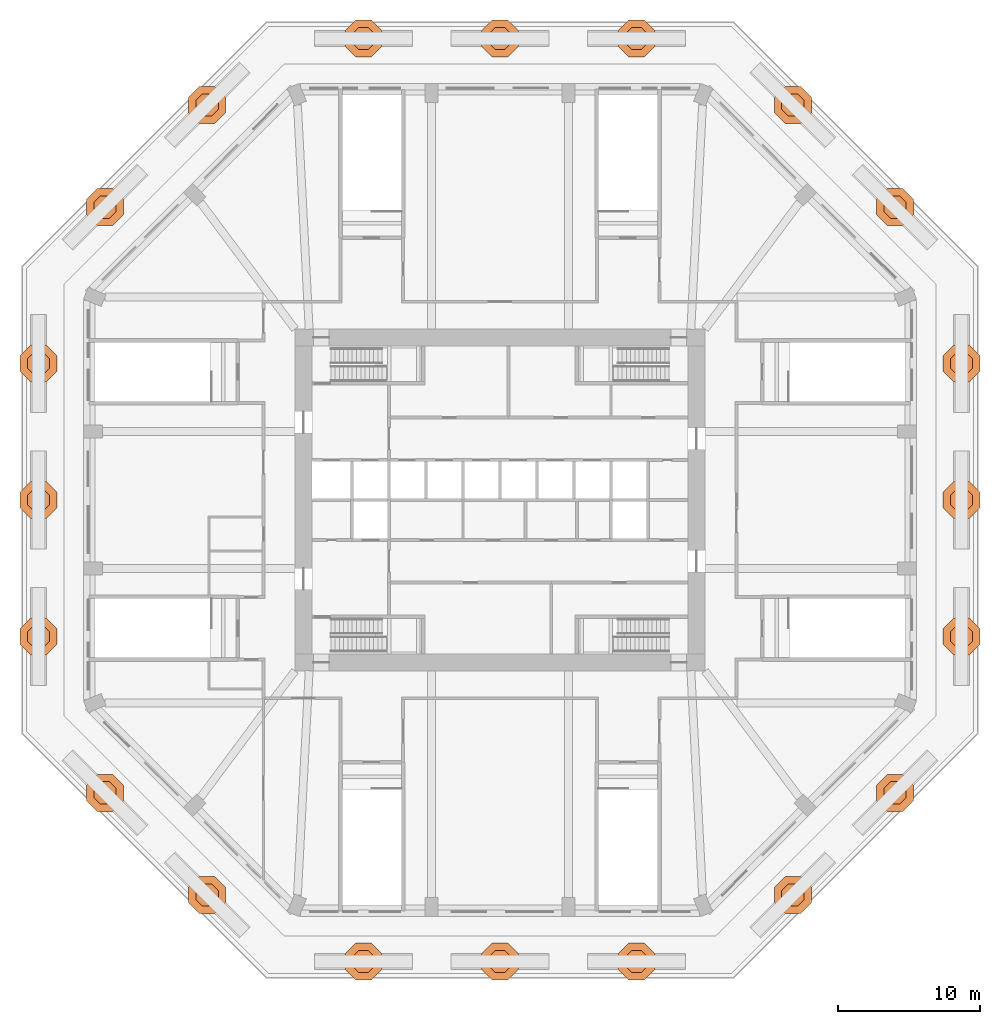
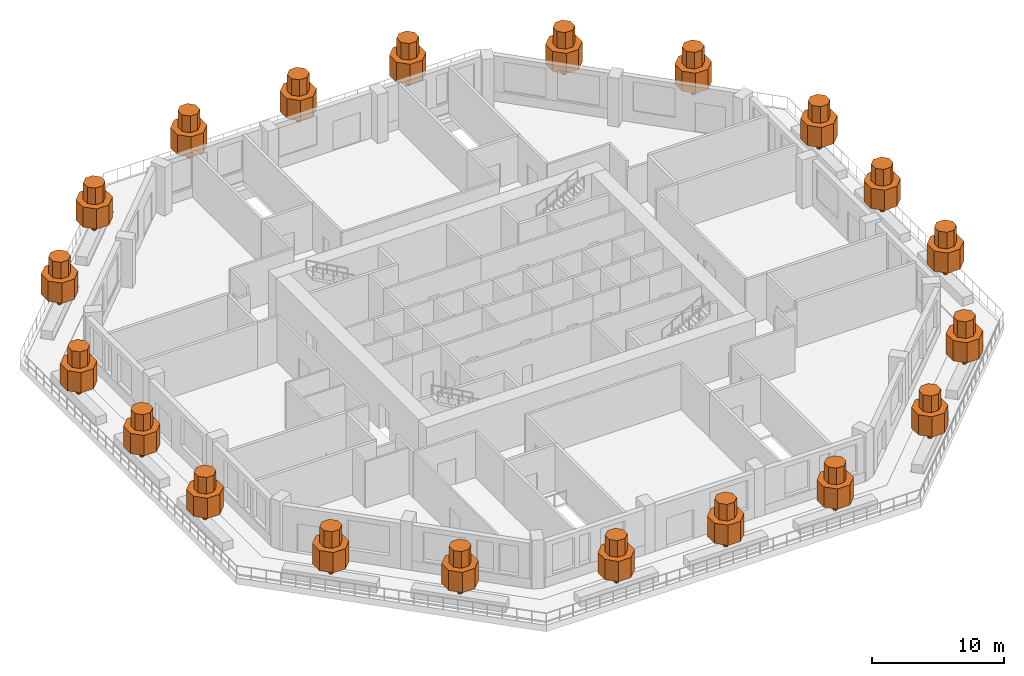
# One storey, part 13 of 13: 20 geographic elements.
"""IFC4 building model written with IfcOpenShell, lengths in metres."""

from ifc_helpers import new_model, si_unit, direction, frame, origin, place, context, subcontext, project, spatial, polyline, outline, extrude, material, type_object, element, save


model = new_model("IFC4")

# Units and contexts
model_context = context("Model", 3, precision=1e-05, world=origin(), true_north=direction((0.0, 1.0)))
body_context = subcontext(model_context, "Body", "Model", "MODEL_VIEW")
ifc_project = project(units=[si_unit("LENGTHUNIT", "METRE"), si_unit("AREAUNIT", "SQUARE_METRE"), si_unit("VOLUMEUNIT", "CUBIC_METRE"), si_unit("PLANEANGLEUNIT", "RADIAN"), si_unit("MASSUNIT", "GRAM", prefix="KILO")], contexts=[model_context])

# Site, building, storey
site_placement = place(None, origin())
site = spatial("IfcSite", under=ifc_project, at=site_placement, CompositionType="ELEMENT")
building_placement = place(site_placement, origin())
building = spatial("IfcBuilding", under=site, at=building_placement, Name="Msitu Wima Residences", CompositionType="ELEMENT")
storey_placement = place(building_placement, frame((0.0, 0.0, 21.0)))
storey = spatial("IfcBuildingStorey", under=building, at=storey_placement, Name="L04", CompositionType="ELEMENT", Elevation=21.0)

# Geographic elements
ifc_material = material(Name="Foliage and planting")
geographic_element_type = type_object("IfcGeographicElementType", Name="Tree TR1", PredefinedType="USERDEFINED", material=ifc_material)
for number, where, z_axis, x_axis, name in (
    (1, (32.39990234375, -9.58154296875, 0.89990234375), (0.0, 0.0, 1.0), (1.0, 0.0, 0.0), "Tree terrace L04-E01"),
    (2, (32.39990234375, 0.0, 0.89990234375), (0.0, 0.0, 1.0), (1.0, 0.0, 0.0), "Tree terrace L04-E11"),
    (3, (32.39990234375, 9.58154296875, 0.89990234375), (0.0, 0.0, 1.0), (1.0, 0.0, 0.0), "Tree terrace L04-E21"),
    (4, (27.732421875, 20.55859375, 0.89990234375), (0.0, 0.0, 1.0), (1.0, 0.0, 0.0), "Tree terrace L04-NE01"),
    (5, (20.55859375, 27.732421875, 0.89990234375), (0.0, 0.0, 1.0), (1.0, 0.0, 0.0), "Tree terrace L04-NE11"),
    (6, (9.58154296875, 32.39990234375, 0.89990234375), (0.0, 0.0, 1.0), (1.0, 0.0, 0.0), "Tree terrace L04-N01"),
    (7, (0.0, 32.39990234375, 0.89990234375), (0.0, 0.0, 1.0), (1.0, 0.0, 0.0), "Tree terrace L04-N11"),
    (8, (-9.58154296875, 32.39990234375, 0.89990234375), (0.0, 0.0, 1.0), (1.0, 0.0, 0.0), "Tree terrace L04-N21"),
    (9, (-20.55859375, 27.732421875, 0.89990234375), (0.0, 0.0, 1.0), (1.0, 0.0, 0.0), "Tree terrace L04-NW01"),
    (10, (-27.732421875, 20.55859375, 0.89990234375), (0.0, 0.0, 1.0), (1.0, 0.0, 0.0), "Tree terrace L04-NW11"),
    (11, (-32.39990234375, 9.58154296875, 0.89990234375), (0.0, 0.0, 1.0), (1.0, 0.0, 0.0), "Tree terrace L04-W01"),
    (12, (-32.39990234375, 0.0, 0.89990234375), (0.0, 0.0, 1.0), (1.0, 0.0, 0.0), "Tree terrace L04-W11"),
    (13, (-32.39990234375, -9.58154296875, 0.89990234375), (0.0, 0.0, 1.0), (1.0, 0.0, 0.0), "Tree terrace L04-W21"),
    (14, (-27.732421875, -20.55859375, 0.89990234375), (0.0, 0.0, 1.0), (1.0, 0.0, 0.0), "Tree terrace L04-SW01"),
    (15, (-20.55859375, -27.732421875, 0.89990234375), (0.0, 0.0, 1.0), (1.0, 0.0, 0.0), "Tree terrace L04-SW11"),
    (16, (-9.58154296875, -32.39990234375, 0.89990234375), (0.0, 0.0, 1.0), (1.0, 0.0, 0.0), "Tree terrace L04-S01"),
    (17, (0.0, -32.39990234375, 0.89990234375), (0.0, 0.0, 1.0), (1.0, 0.0, 0.0), "Tree terrace L04-S11"),
    (18, (9.58154296875, -32.39990234375, 0.89990234375), (0.0, 0.0, 1.0), (1.0, 0.0, 0.0), "Tree terrace L04-S21"),
    (19, (20.55859375, -27.732421875, 0.89990234375), (0.0, 0.0, 1.0), (1.0, 0.0, 0.0), "Tree terrace L04-SE01"),
    (20, (27.732421875, -20.55859375, 0.89990234375), (0.0, 0.0, 1.0), (1.0, 0.0, 0.0), "Tree terrace L04-SE11"),
):
    element("IfcGeographicElement", number, at=place(storey_placement, frame(where, z_axis=z_axis, x_axis=x_axis)), inside=storey, type_object=geographic_element_type, Name=name, ObjectType="TREE", PredefinedType="USERDEFINED", context=body_context, shape_type="SweptSolid", body=[
        extrude(outline(polyline([(0.175048828125, 0.072509765625), (0.072509765625, 0.175048828125), (-0.072509765625, 0.175048828125), (-0.175048828125, 0.072509765625), (-0.175048828125, -0.072509765625), (-0.072509765625, -0.175048828125), (0.072509765625, -0.175048828125), (0.175048828125, -0.072509765625), (0.175048828125, 0.072509765625)])), origin(), (0.0, 0.0, 1.0), 1.10009765625),
        extrude(outline(polyline([(1.300048828125, 0.53857421875), (0.53857421875, 1.300048828125), (-0.53857421875, 1.300048828125), (-1.300048828125, 0.53857421875), (-1.300048828125, -0.53857421875), (-0.53857421875, -1.300048828125), (0.53857421875, -1.300048828125), (1.300048828125, -0.53857421875), (1.300048828125, 0.53857421875)])), frame((0.0, 0.0, 1.0)), (0.0, 0.0, 1.0), 1.8701171875),
        extrude(outline(polyline([(0.780029296875, 0.322998046875), (0.322998046875, 0.780029296875), (-0.322998046875, 0.780029296875), (-0.780029296875, 0.322998046875), (-0.780029296875, -0.322998046875), (-0.322998046875, -0.780029296875), (0.322998046875, -0.780029296875), (0.780029296875, -0.322998046875), (0.780029296875, 0.322998046875)])), frame((0.0, 0.0, 2.8701171875)), (0.0, 0.0, 1.0), 1.530029296875),
    ])

save(model, "model.ifc")
